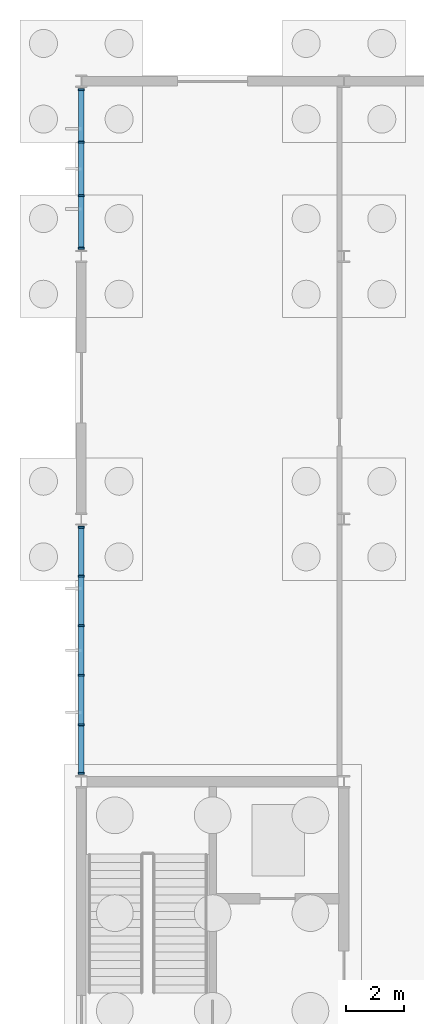
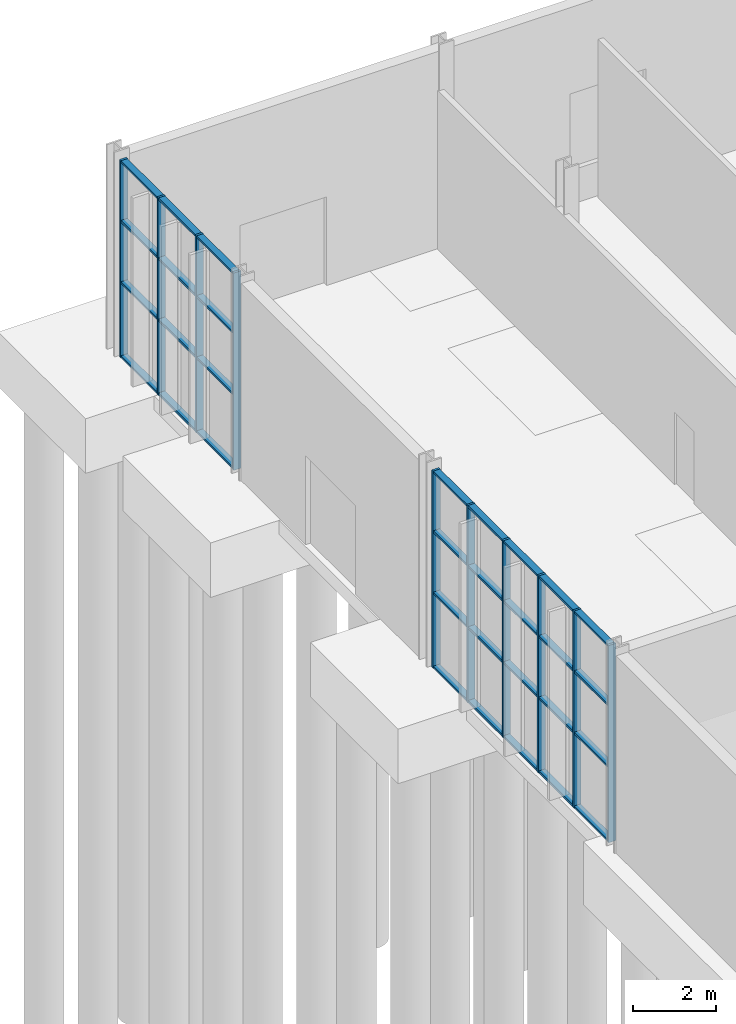
# One storey, part 54 of 131: 42 members, 2 elements without a shape of their own.
"""IFC4 building model written with IfcOpenShell, lengths in metres."""

from ifc_helpers import new_model, si_unit, direction, frame, origin, origin_2d, place, context, subcontext, project, spatial, rectangle, extrude, material, layer, layer_set, material_profile, profile_set, type_object, element, aggregate, save


model = new_model("IFC4")

# Units and contexts
model_context = context("Model", 3, precision=1e-05, world=origin(), true_north=direction((0.0, 1.0)))
body_context = subcontext(model_context, "Body", "Model", "MODEL_VIEW")
ifc_project = project(units=[si_unit("LENGTHUNIT", "METRE"), si_unit("AREAUNIT", "SQUARE_METRE"), si_unit("VOLUMEUNIT", "CUBIC_METRE"), si_unit("PLANEANGLEUNIT", "RADIAN"), si_unit("MASSUNIT", "GRAM", prefix="KILO")], contexts=[model_context])

# Site, building, storey
site_placement = place(None, origin())
site = spatial("IfcSite", under=ifc_project, at=site_placement, CompositionType="ELEMENT")
building_placement = place(site_placement, origin())
building = spatial("IfcBuilding", under=site, at=building_placement, Name="Cazmaro Siding Exhibition Halls", CompositionType="ELEMENT")
storey_placement = place(building_placement, origin())
storey = spatial("IfcBuildingStorey", under=building, at=storey_placement, Name="L00", CompositionType="ELEMENT", Elevation=0.0)

# Curtain wall, members
ifc_material_1 = material(Name="Anodized Bronze Aluminum and Solar-Control Low-E Glazing", Category="aluminium")
ifc_layer = layer(ifc_material_1, 0.199951171875)
ifc_layer_set = layer_set([ifc_layer], Name="Anodized Bronze Aluminum and Solar-Control Low-E Glazing")
curtain_wall_type = type_object("IfcCurtainWallType", Name="CWS-02", PredefinedType="USERDEFINED", material=ifc_layer_set)
curtain_wall_1_placement = place(storey_placement, origin())
curtain_wall_1 = element("IfcCurtainWall", 1, at=curtain_wall_1_placement, inside=storey, type_object=curtain_wall_type, Name="Glazed Curtain Wall CWS-02 CW-228", ObjectType="GLAZED CURTAIN WALL", PredefinedType="USERDEFINED")
ifc_material_2 = material(Name="Anodized Bronze Extruded Aluminum", Category="aluminium")
ifc_material_profile_1 = material_profile(ifc_material_2, rectangle(XDim=0.199951171875, YDim=0.06494140625, at=origin_2d()), Name="CWM-02")
ifc_profile_set_1 = profile_set([ifc_material_profile_1], Name="Anodized Bronze Extruded Aluminum")
member_type_1 = type_object("IfcMemberType", Name="CWM-02", PredefinedType="MULLION", material=ifc_profile_set_1)
member_1_placement = place(storey_placement, frame((0.0, 108.714599609375, 0.0), z_axis=(0.0, 0.0, 1.0), x_axis=(1.0, 0.0, 0.0)))
member_1 = element("IfcMember", 2, at=member_1_placement, type_object=member_type_1, Name="CWS-02 mullion 1", PredefinedType="MULLION", context=body_context, shape_type="SweptSolid", body=[
    extrude(rectangle(XDim=0.199951171875, YDim=0.06494140625, at=origin_2d()), origin(), (0.0, 0.0, 1.0), 5.780029296875),
])
member_2_placement = place(storey_placement, frame((0.0, 107.048095703125, 0.0), z_axis=(0.0, 0.0, 1.0), x_axis=(1.0, 0.0, 0.0)))
member_2 = element("IfcMember", 3, at=member_2_placement, type_object=member_type_1, Name="CWS-02 mullion 2", PredefinedType="MULLION", context=body_context, shape_type="SweptSolid", body=[
    extrude(rectangle(XDim=0.199951171875, YDim=0.06494140625, at=origin_2d()), origin(), (0.0, 0.0, 1.0), 5.780029296875),
])
member_3_placement = place(storey_placement, frame((0.0, 105.349365234375, 0.0), z_axis=(0.0, 0.0, 1.0), x_axis=(1.0, 0.0, 0.0)))
member_3 = element("IfcMember", 4, at=member_3_placement, type_object=member_type_1, Name="CWS-02 mullion 3", PredefinedType="MULLION", context=body_context, shape_type="SweptSolid", body=[
    extrude(rectangle(XDim=0.199951171875, YDim=0.06494140625, at=origin_2d()), origin(), (0.0, 0.0, 1.0), 5.780029296875),
])
member_4_placement = place(storey_placement, frame((0.0, 103.650634765625, 0.0), z_axis=(0.0, 0.0, 1.0), x_axis=(1.0, 0.0, 0.0)))
member_4 = element("IfcMember", 5, at=member_4_placement, type_object=member_type_1, Name="CWS-02 mullion 4", PredefinedType="MULLION", context=body_context, shape_type="SweptSolid", body=[
    extrude(rectangle(XDim=0.199951171875, YDim=0.06494140625, at=origin_2d()), origin(), (0.0, 0.0, 1.0), 5.780029296875),
])
member_5_placement = place(storey_placement, frame((0.0, 101.951904296875, 0.0), z_axis=(0.0, 0.0, 1.0), x_axis=(1.0, 0.0, 0.0)))
member_5 = element("IfcMember", 6, at=member_5_placement, type_object=member_type_1, Name="CWS-02 mullion 5", PredefinedType="MULLION", context=body_context, shape_type="SweptSolid", body=[
    extrude(rectangle(XDim=0.199951171875, YDim=0.06494140625, at=origin_2d()), origin(), (0.0, 0.0, 1.0), 5.780029296875),
])
member_6_placement = place(storey_placement, frame((0.0, 100.285400390625, 0.0), z_axis=(0.0, 0.0, 1.0), x_axis=(1.0, 0.0, 0.0)))
member_6 = element("IfcMember", 7, at=member_6_placement, type_object=member_type_1, Name="CWS-02 mullion 6", PredefinedType="MULLION", context=body_context, shape_type="SweptSolid", body=[
    extrude(rectangle(XDim=0.199951171875, YDim=0.06494140625, at=origin_2d()), origin(), (0.0, 0.0, 1.0), 5.780029296875),
])

curtain_wall_2_placement = place(storey_placement, origin())
curtain_wall_2 = element("IfcCurtainWall", 8, at=curtain_wall_2_placement, inside=storey, type_object=curtain_wall_type, Name="Glazed Curtain Wall CWS-02 CW-229", ObjectType="GLAZED CURTAIN WALL", PredefinedType="USERDEFINED")
member_7_placement = place(storey_placement, frame((0.0, 123.714599609375, 0.0), z_axis=(0.0, 0.0, 1.0), x_axis=(1.0, 0.0, 0.0)))
member_7 = element("IfcMember", 9, at=member_7_placement, type_object=member_type_1, Name="CWS-02 mullion 1", PredefinedType="MULLION", context=body_context, shape_type="SweptSolid", body=[
    extrude(rectangle(XDim=0.199951171875, YDim=0.06494140625, at=origin_2d()), origin(), (0.0, 0.0, 1.0), 5.780029296875),
])
member_8_placement = place(storey_placement, frame((0.0, 121.915771484375, 0.0), z_axis=(0.0, 0.0, 1.0), x_axis=(1.0, 0.0, 0.0)))
member_8 = element("IfcMember", 10, at=member_8_placement, type_object=member_type_1, Name="CWS-02 mullion 2", PredefinedType="MULLION", context=body_context, shape_type="SweptSolid", body=[
    extrude(rectangle(XDim=0.199951171875, YDim=0.06494140625, at=origin_2d()), origin(), (0.0, 0.0, 1.0), 5.780029296875),
])
member_9_placement = place(storey_placement, frame((0.0, 120.084228515625, 0.0), z_axis=(0.0, 0.0, 1.0), x_axis=(1.0, 0.0, 0.0)))
member_9 = element("IfcMember", 11, at=member_9_placement, type_object=member_type_1, Name="CWS-02 mullion 3", PredefinedType="MULLION", context=body_context, shape_type="SweptSolid", body=[
    extrude(rectangle(XDim=0.199951171875, YDim=0.06494140625, at=origin_2d()), origin(), (0.0, 0.0, 1.0), 5.780029296875),
])
member_10_placement = place(storey_placement, frame((0.0, 118.285400390625, 0.0), z_axis=(0.0, 0.0, 1.0), x_axis=(1.0, 0.0, 0.0)))
member_10 = element("IfcMember", 12, at=member_10_placement, type_object=member_type_1, Name="CWS-02 mullion 4", PredefinedType="MULLION", context=body_context, shape_type="SweptSolid", body=[
    extrude(rectangle(XDim=0.199951171875, YDim=0.06494140625, at=origin_2d()), origin(), (0.0, 0.0, 1.0), 5.780029296875),
])

# Member
ifc_material_3 = material(Name="Anodized Bronze Extruded Aluminum", Category="aluminium")
ifc_material_profile_2 = material_profile(ifc_material_3, rectangle(XDim=0.179931640625, YDim=0.06494140625, at=origin_2d()), Name="CWT-02")
ifc_profile_set_2 = profile_set([ifc_material_profile_2], Name="Anodized Bronze Extruded Aluminum")
member_type_2 = type_object("IfcMemberType", Name="CWT-02", PredefinedType="MULLION", material=ifc_profile_set_2)
member_11_placement = place(storey_placement, frame((0.0, 108.681884765625, 0.032470703125), z_axis=(0.0, -1.0, 0.0), x_axis=(1.0, 0.0, 0.0)))
member_11 = element("IfcMember", 13, at=member_11_placement, type_object=member_type_2, Name="CWS-02 transom 1.1", ObjectType="TRANSOM", PredefinedType="USERDEFINED", context=body_context, shape_type="SweptSolid", body=[
    extrude(rectangle(XDim=0.179931640625, YDim=0.06494140625, at=origin_2d()), origin(), (0.0, 0.0, 1.0), 1.60107421875),
])

member_12_placement = place(storey_placement, frame((0.0, 108.681884765625, 2.199951171875), z_axis=(0.0, -1.0, 0.0), x_axis=(1.0, 0.0, 0.0)))
member_12 = element("IfcMember", 14, at=member_12_placement, type_object=member_type_2, Name="CWS-02 transom 1.2", ObjectType="TRANSOM", PredefinedType="USERDEFINED", context=body_context, shape_type="SweptSolid", body=[
    extrude(rectangle(XDim=0.179931640625, YDim=0.06494140625, at=origin_2d()), origin(), (0.0, 0.0, 1.0), 1.60107421875),
])

member_13_placement = place(storey_placement, frame((0.0, 108.681884765625, 4.0), z_axis=(0.0, -1.0, 0.0), x_axis=(1.0, 0.0, 0.0)))
member_13 = element("IfcMember", 15, at=member_13_placement, type_object=member_type_2, Name="CWS-02 transom 1.3", ObjectType="TRANSOM", PredefinedType="USERDEFINED", context=body_context, shape_type="SweptSolid", body=[
    extrude(rectangle(XDim=0.179931640625, YDim=0.06494140625, at=origin_2d()), origin(), (0.0, 0.0, 1.0), 1.60107421875),
])

member_14_placement = place(storey_placement, frame((0.0, 108.681884765625, 5.74755859375), z_axis=(0.0, -1.0, 0.0), x_axis=(1.0, 0.0, 0.0)))
member_14 = element("IfcMember", 16, at=member_14_placement, type_object=member_type_2, Name="CWS-02 transom 1.4", ObjectType="TRANSOM", PredefinedType="USERDEFINED", context=body_context, shape_type="SweptSolid", body=[
    extrude(rectangle(XDim=0.179931640625, YDim=0.06494140625, at=origin_2d()), origin(), (0.0, 0.0, 1.0), 1.60107421875),
])

member_15_placement = place(storey_placement, frame((0.0, 107.015625, 0.032470703125), z_axis=(0.0, -1.0, 0.0), x_axis=(1.0, 0.0, 0.0)))
member_15 = element("IfcMember", 17, at=member_15_placement, type_object=member_type_2, Name="CWS-02 transom 2.1", ObjectType="TRANSOM", PredefinedType="USERDEFINED", context=body_context, shape_type="SweptSolid", body=[
    extrude(rectangle(XDim=0.179931640625, YDim=0.06494140625, at=origin_2d()), origin(), (0.0, 0.0, 1.0), 1.6337890625),
])

member_16_placement = place(storey_placement, frame((0.0, 107.015625, 2.199951171875), z_axis=(0.0, -1.0, 0.0), x_axis=(1.0, 0.0, 0.0)))
member_16 = element("IfcMember", 18, at=member_16_placement, type_object=member_type_2, Name="CWS-02 transom 2.2", ObjectType="TRANSOM", PredefinedType="USERDEFINED", context=body_context, shape_type="SweptSolid", body=[
    extrude(rectangle(XDim=0.179931640625, YDim=0.06494140625, at=origin_2d()), origin(), (0.0, 0.0, 1.0), 1.6337890625),
])

member_17_placement = place(storey_placement, frame((0.0, 107.015625, 4.0), z_axis=(0.0, -1.0, 0.0), x_axis=(1.0, 0.0, 0.0)))
member_17 = element("IfcMember", 19, at=member_17_placement, type_object=member_type_2, Name="CWS-02 transom 2.3", ObjectType="TRANSOM", PredefinedType="USERDEFINED", context=body_context, shape_type="SweptSolid", body=[
    extrude(rectangle(XDim=0.179931640625, YDim=0.06494140625, at=origin_2d()), origin(), (0.0, 0.0, 1.0), 1.6337890625),
])

member_18_placement = place(storey_placement, frame((0.0, 107.015625, 5.74755859375), z_axis=(0.0, -1.0, 0.0), x_axis=(1.0, 0.0, 0.0)))
member_18 = element("IfcMember", 20, at=member_18_placement, type_object=member_type_2, Name="CWS-02 transom 2.4", ObjectType="TRANSOM", PredefinedType="USERDEFINED", context=body_context, shape_type="SweptSolid", body=[
    extrude(rectangle(XDim=0.179931640625, YDim=0.06494140625, at=origin_2d()), origin(), (0.0, 0.0, 1.0), 1.6337890625),
])

member_19_placement = place(storey_placement, frame((0.0, 105.31689453125, 0.032470703125), z_axis=(0.0, -1.0, 0.0), x_axis=(1.0, 0.0, 0.0)))
member_19 = element("IfcMember", 21, at=member_19_placement, type_object=member_type_2, Name="CWS-02 transom 3.1", ObjectType="TRANSOM", PredefinedType="USERDEFINED", context=body_context, shape_type="SweptSolid", body=[
    extrude(rectangle(XDim=0.179931640625, YDim=0.06494140625, at=origin_2d()), origin(), (0.0, 0.0, 1.0), 1.6337890625),
])

member_20_placement = place(storey_placement, frame((0.0, 105.31689453125, 2.199951171875), z_axis=(0.0, -1.0, 0.0), x_axis=(1.0, 0.0, 0.0)))
member_20 = element("IfcMember", 22, at=member_20_placement, type_object=member_type_2, Name="CWS-02 transom 3.2", ObjectType="TRANSOM", PredefinedType="USERDEFINED", context=body_context, shape_type="SweptSolid", body=[
    extrude(rectangle(XDim=0.179931640625, YDim=0.06494140625, at=origin_2d()), origin(), (0.0, 0.0, 1.0), 1.6337890625),
])

member_21_placement = place(storey_placement, frame((0.0, 105.31689453125, 4.0), z_axis=(0.0, -1.0, 0.0), x_axis=(1.0, 0.0, 0.0)))
member_21 = element("IfcMember", 23, at=member_21_placement, type_object=member_type_2, Name="CWS-02 transom 3.3", ObjectType="TRANSOM", PredefinedType="USERDEFINED", context=body_context, shape_type="SweptSolid", body=[
    extrude(rectangle(XDim=0.179931640625, YDim=0.06494140625, at=origin_2d()), origin(), (0.0, 0.0, 1.0), 1.6337890625),
])

member_22_placement = place(storey_placement, frame((0.0, 105.31689453125, 5.74755859375), z_axis=(0.0, -1.0, 0.0), x_axis=(1.0, 0.0, 0.0)))
member_22 = element("IfcMember", 24, at=member_22_placement, type_object=member_type_2, Name="CWS-02 transom 3.4", ObjectType="TRANSOM", PredefinedType="USERDEFINED", context=body_context, shape_type="SweptSolid", body=[
    extrude(rectangle(XDim=0.179931640625, YDim=0.06494140625, at=origin_2d()), origin(), (0.0, 0.0, 1.0), 1.6337890625),
])

member_23_placement = place(storey_placement, frame((0.0, 103.6181640625, 0.032470703125), z_axis=(0.0, -1.0, 0.0), x_axis=(1.0, 0.0, 0.0)))
member_23 = element("IfcMember", 25, at=member_23_placement, type_object=member_type_2, Name="CWS-02 transom 4.1", ObjectType="TRANSOM", PredefinedType="USERDEFINED", context=body_context, shape_type="SweptSolid", body=[
    extrude(rectangle(XDim=0.179931640625, YDim=0.06494140625, at=origin_2d()), origin(), (0.0, 0.0, 1.0), 1.6337890625),
])

member_24_placement = place(storey_placement, frame((0.0, 103.6181640625, 2.199951171875), z_axis=(0.0, -1.0, 0.0), x_axis=(1.0, 0.0, 0.0)))
member_24 = element("IfcMember", 26, at=member_24_placement, type_object=member_type_2, Name="CWS-02 transom 4.2", ObjectType="TRANSOM", PredefinedType="USERDEFINED", context=body_context, shape_type="SweptSolid", body=[
    extrude(rectangle(XDim=0.179931640625, YDim=0.06494140625, at=origin_2d()), origin(), (0.0, 0.0, 1.0), 1.6337890625),
])

member_25_placement = place(storey_placement, frame((0.0, 103.6181640625, 4.0), z_axis=(0.0, -1.0, 0.0), x_axis=(1.0, 0.0, 0.0)))
member_25 = element("IfcMember", 27, at=member_25_placement, type_object=member_type_2, Name="CWS-02 transom 4.3", ObjectType="TRANSOM", PredefinedType="USERDEFINED", context=body_context, shape_type="SweptSolid", body=[
    extrude(rectangle(XDim=0.179931640625, YDim=0.06494140625, at=origin_2d()), origin(), (0.0, 0.0, 1.0), 1.6337890625),
])

member_26_placement = place(storey_placement, frame((0.0, 103.6181640625, 5.74755859375), z_axis=(0.0, -1.0, 0.0), x_axis=(1.0, 0.0, 0.0)))
member_26 = element("IfcMember", 28, at=member_26_placement, type_object=member_type_2, Name="CWS-02 transom 4.4", ObjectType="TRANSOM", PredefinedType="USERDEFINED", context=body_context, shape_type="SweptSolid", body=[
    extrude(rectangle(XDim=0.179931640625, YDim=0.06494140625, at=origin_2d()), origin(), (0.0, 0.0, 1.0), 1.6337890625),
])

member_27_placement = place(storey_placement, frame((0.0, 101.919189453125, 0.032470703125), z_axis=(0.0, -1.0, 0.0), x_axis=(1.0, 0.0, 0.0)))
member_27 = element("IfcMember", 29, at=member_27_placement, type_object=member_type_2, Name="CWS-02 transom 5.1", ObjectType="TRANSOM", PredefinedType="USERDEFINED", context=body_context, shape_type="SweptSolid", body=[
    extrude(rectangle(XDim=0.179931640625, YDim=0.06494140625, at=origin_2d()), origin(), (0.0, 0.0, 1.0), 1.60107421875),
])

member_28_placement = place(storey_placement, frame((0.0, 101.919189453125, 2.199951171875), z_axis=(0.0, -1.0, 0.0), x_axis=(1.0, 0.0, 0.0)))
member_28 = element("IfcMember", 30, at=member_28_placement, type_object=member_type_2, Name="CWS-02 transom 5.2", ObjectType="TRANSOM", PredefinedType="USERDEFINED", context=body_context, shape_type="SweptSolid", body=[
    extrude(rectangle(XDim=0.179931640625, YDim=0.06494140625, at=origin_2d()), origin(), (0.0, 0.0, 1.0), 1.60107421875),
])

member_29_placement = place(storey_placement, frame((0.0, 101.919189453125, 4.0), z_axis=(0.0, -1.0, 0.0), x_axis=(1.0, 0.0, 0.0)))
member_29 = element("IfcMember", 31, at=member_29_placement, type_object=member_type_2, Name="CWS-02 transom 5.3", ObjectType="TRANSOM", PredefinedType="USERDEFINED", context=body_context, shape_type="SweptSolid", body=[
    extrude(rectangle(XDim=0.179931640625, YDim=0.06494140625, at=origin_2d()), origin(), (0.0, 0.0, 1.0), 1.60107421875),
])

member_30_placement = place(storey_placement, frame((0.0, 101.919189453125, 5.74755859375), z_axis=(0.0, -1.0, 0.0), x_axis=(1.0, 0.0, 0.0)))
member_30 = element("IfcMember", 32, at=member_30_placement, type_object=member_type_2, Name="CWS-02 transom 5.4", ObjectType="TRANSOM", PredefinedType="USERDEFINED", context=body_context, shape_type="SweptSolid", body=[
    extrude(rectangle(XDim=0.179931640625, YDim=0.06494140625, at=origin_2d()), origin(), (0.0, 0.0, 1.0), 1.60107421875),
])

aggregate(curtain_wall_1, [member_1, member_2, member_3, member_4, member_5, member_6, member_11, member_12, member_13, member_14, member_15, member_16, member_17, member_18, member_19, member_20, member_21, member_22, member_23, member_24, member_25, member_26, member_27, member_28, member_29, member_30])

member_31_placement = place(storey_placement, frame((0.0, 123.681884765625, 0.032470703125), z_axis=(0.0, -1.0, 0.0), x_axis=(1.0, 0.0, 0.0)))
member_31 = element("IfcMember", 33, at=member_31_placement, type_object=member_type_2, Name="CWS-02 transom 1.1", ObjectType="TRANSOM", PredefinedType="USERDEFINED", context=body_context, shape_type="SweptSolid", body=[
    extrude(rectangle(XDim=0.179931640625, YDim=0.06494140625, at=origin_2d()), origin(), (0.0, 0.0, 1.0), 1.733642578125),
])

member_32_placement = place(storey_placement, frame((0.0, 123.681884765625, 2.199951171875), z_axis=(0.0, -1.0, 0.0), x_axis=(1.0, 0.0, 0.0)))
member_32 = element("IfcMember", 34, at=member_32_placement, type_object=member_type_2, Name="CWS-02 transom 1.2", ObjectType="TRANSOM", PredefinedType="USERDEFINED", context=body_context, shape_type="SweptSolid", body=[
    extrude(rectangle(XDim=0.179931640625, YDim=0.06494140625, at=origin_2d()), origin(), (0.0, 0.0, 1.0), 1.733642578125),
])

member_33_placement = place(storey_placement, frame((0.0, 123.681884765625, 4.0), z_axis=(0.0, -1.0, 0.0), x_axis=(1.0, 0.0, 0.0)))
member_33 = element("IfcMember", 35, at=member_33_placement, type_object=member_type_2, Name="CWS-02 transom 1.3", ObjectType="TRANSOM", PredefinedType="USERDEFINED", context=body_context, shape_type="SweptSolid", body=[
    extrude(rectangle(XDim=0.179931640625, YDim=0.06494140625, at=origin_2d()), origin(), (0.0, 0.0, 1.0), 1.733642578125),
])

member_34_placement = place(storey_placement, frame((0.0, 123.681884765625, 5.74755859375), z_axis=(0.0, -1.0, 0.0), x_axis=(1.0, 0.0, 0.0)))
member_34 = element("IfcMember", 36, at=member_34_placement, type_object=member_type_2, Name="CWS-02 transom 1.4", ObjectType="TRANSOM", PredefinedType="USERDEFINED", context=body_context, shape_type="SweptSolid", body=[
    extrude(rectangle(XDim=0.179931640625, YDim=0.06494140625, at=origin_2d()), origin(), (0.0, 0.0, 1.0), 1.733642578125),
])

member_35_placement = place(storey_placement, frame((0.0, 121.883056640625, 0.032470703125), z_axis=(0.0, -1.0, 0.0), x_axis=(1.0, 0.0, 0.0)))
member_35 = element("IfcMember", 37, at=member_35_placement, type_object=member_type_2, Name="CWS-02 transom 2.1", ObjectType="TRANSOM", PredefinedType="USERDEFINED", context=body_context, shape_type="SweptSolid", body=[
    extrude(rectangle(XDim=0.179931640625, YDim=0.06494140625, at=origin_2d()), origin(), (0.0, 0.0, 1.0), 1.76611328125),
])

member_36_placement = place(storey_placement, frame((0.0, 121.883056640625, 2.199951171875), z_axis=(0.0, -1.0, 0.0), x_axis=(1.0, 0.0, 0.0)))
member_36 = element("IfcMember", 38, at=member_36_placement, type_object=member_type_2, Name="CWS-02 transom 2.2", ObjectType="TRANSOM", PredefinedType="USERDEFINED", context=body_context, shape_type="SweptSolid", body=[
    extrude(rectangle(XDim=0.179931640625, YDim=0.06494140625, at=origin_2d()), origin(), (0.0, 0.0, 1.0), 1.76611328125),
])

member_37_placement = place(storey_placement, frame((0.0, 121.883056640625, 4.0), z_axis=(0.0, -1.0, 0.0), x_axis=(1.0, 0.0, 0.0)))
member_37 = element("IfcMember", 39, at=member_37_placement, type_object=member_type_2, Name="CWS-02 transom 2.3", ObjectType="TRANSOM", PredefinedType="USERDEFINED", context=body_context, shape_type="SweptSolid", body=[
    extrude(rectangle(XDim=0.179931640625, YDim=0.06494140625, at=origin_2d()), origin(), (0.0, 0.0, 1.0), 1.76611328125),
])

member_38_placement = place(storey_placement, frame((0.0, 121.883056640625, 5.74755859375), z_axis=(0.0, -1.0, 0.0), x_axis=(1.0, 0.0, 0.0)))
member_38 = element("IfcMember", 40, at=member_38_placement, type_object=member_type_2, Name="CWS-02 transom 2.4", ObjectType="TRANSOM", PredefinedType="USERDEFINED", context=body_context, shape_type="SweptSolid", body=[
    extrude(rectangle(XDim=0.179931640625, YDim=0.06494140625, at=origin_2d()), origin(), (0.0, 0.0, 1.0), 1.76611328125),
])

member_39_placement = place(storey_placement, frame((0.0, 120.0517578125, 0.032470703125), z_axis=(0.0, -1.0, 0.0), x_axis=(1.0, 0.0, 0.0)))
member_39 = element("IfcMember", 41, at=member_39_placement, type_object=member_type_2, Name="CWS-02 transom 3.1", ObjectType="TRANSOM", PredefinedType="USERDEFINED", context=body_context, shape_type="SweptSolid", body=[
    extrude(rectangle(XDim=0.179931640625, YDim=0.06494140625, at=origin_2d()), origin(), (0.0, 0.0, 1.0), 1.733642578125),
])

member_40_placement = place(storey_placement, frame((0.0, 120.0517578125, 2.199951171875), z_axis=(0.0, -1.0, 0.0), x_axis=(1.0, 0.0, 0.0)))
member_40 = element("IfcMember", 42, at=member_40_placement, type_object=member_type_2, Name="CWS-02 transom 3.2", ObjectType="TRANSOM", PredefinedType="USERDEFINED", context=body_context, shape_type="SweptSolid", body=[
    extrude(rectangle(XDim=0.179931640625, YDim=0.06494140625, at=origin_2d()), origin(), (0.0, 0.0, 1.0), 1.733642578125),
])

member_41_placement = place(storey_placement, frame((0.0, 120.0517578125, 4.0), z_axis=(0.0, -1.0, 0.0), x_axis=(1.0, 0.0, 0.0)))
member_41 = element("IfcMember", 43, at=member_41_placement, type_object=member_type_2, Name="CWS-02 transom 3.3", ObjectType="TRANSOM", PredefinedType="USERDEFINED", context=body_context, shape_type="SweptSolid", body=[
    extrude(rectangle(XDim=0.179931640625, YDim=0.06494140625, at=origin_2d()), origin(), (0.0, 0.0, 1.0), 1.733642578125),
])

member_42_placement = place(storey_placement, frame((0.0, 120.0517578125, 5.74755859375), z_axis=(0.0, -1.0, 0.0), x_axis=(1.0, 0.0, 0.0)))
member_42 = element("IfcMember", 44, at=member_42_placement, type_object=member_type_2, Name="CWS-02 transom 3.4", ObjectType="TRANSOM", PredefinedType="USERDEFINED", context=body_context, shape_type="SweptSolid", body=[
    extrude(rectangle(XDim=0.179931640625, YDim=0.06494140625, at=origin_2d()), origin(), (0.0, 0.0, 1.0), 1.733642578125),
])

aggregate(curtain_wall_2, [member_7, member_8, member_9, member_10, member_31, member_32, member_33, member_34, member_35, member_36, member_37, member_38, member_39, member_40, member_41, member_42])

save(model, "model.ifc")
